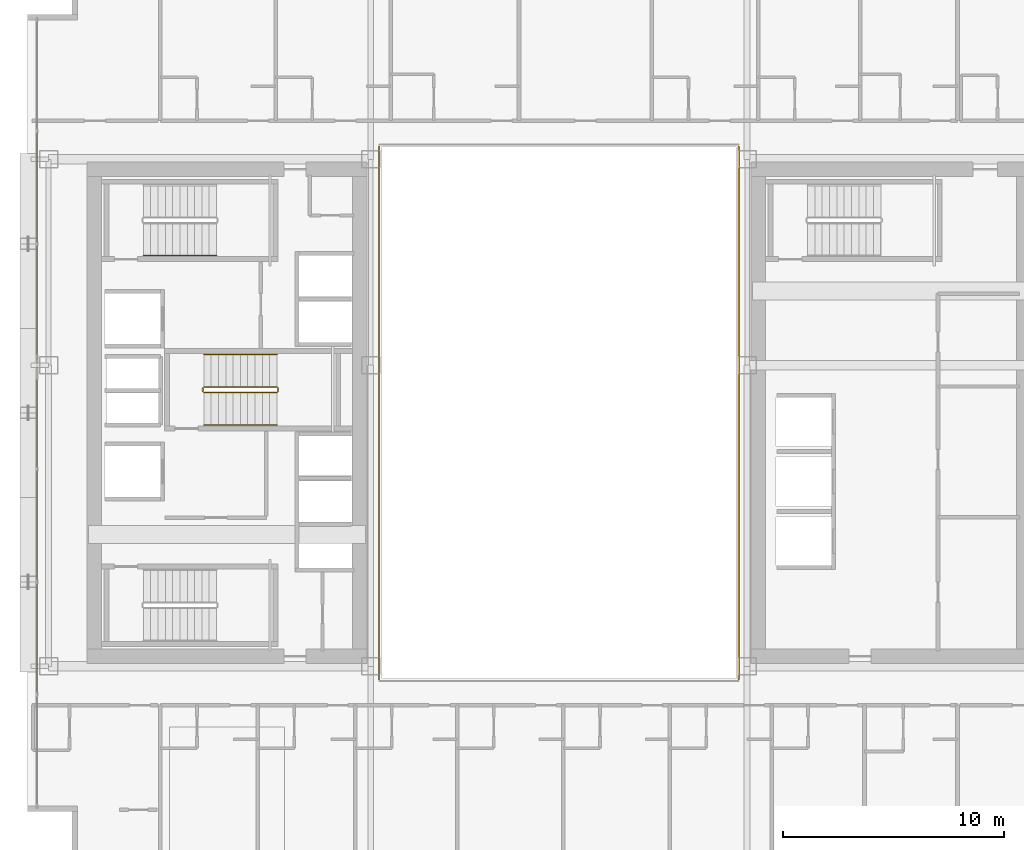
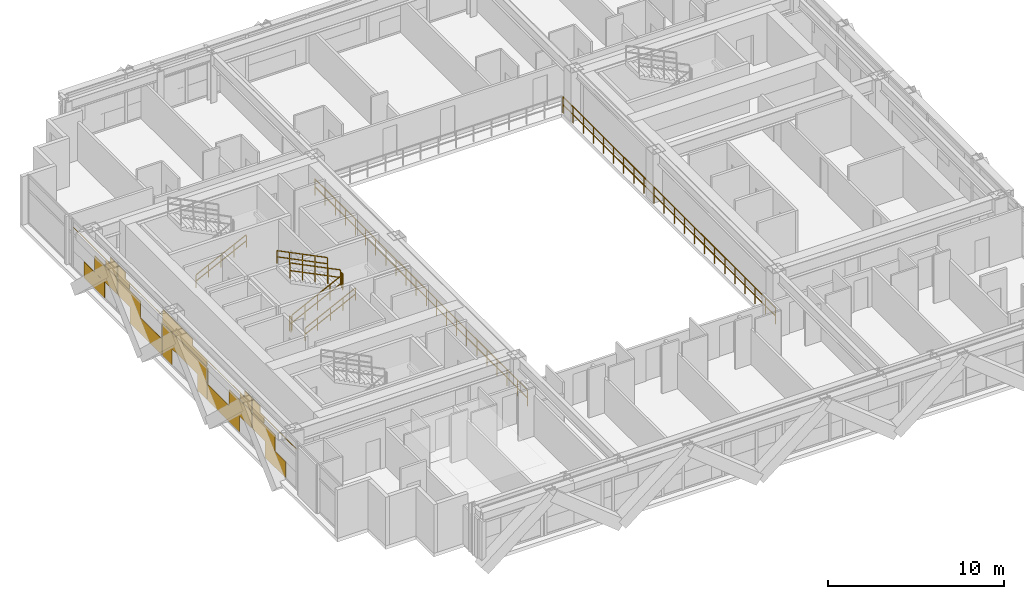
# One storey, part 34 of 36: 9 railings, 1 covering.
"""IFC4 building model written with IfcOpenShell, lengths in metres."""

from ifc_helpers import new_model, si_unit, direction, frame, origin, origin_2d, place, context, subcontext, project, spatial, rectangle, extrude, material, layer, layer_set, type_object, element, save


model = new_model("IFC4")

# Units and contexts
model_context = context("Model", 3, precision=1e-05, world=origin(), true_north=direction((0.0, 1.0)))
body_context = subcontext(model_context, "Body", "Model", "MODEL_VIEW")
ifc_project = project(units=[si_unit("LENGTHUNIT", "METRE"), si_unit("AREAUNIT", "SQUARE_METRE"), si_unit("VOLUMEUNIT", "CUBIC_METRE"), si_unit("PLANEANGLEUNIT", "RADIAN"), si_unit("MASSUNIT", "GRAM", prefix="KILO")], contexts=[model_context])

# Site, building, storey
site_placement = place(None, origin())
site = spatial("IfcSite", under=ifc_project, at=site_placement, CompositionType="ELEMENT")
building_placement = place(site_placement, origin())
building = spatial("IfcBuilding", under=site, at=building_placement, Name="Ocotamira Hotel", CompositionType="ELEMENT")
storey_placement = place(building_placement, frame((0.0, 0.0, 97.199951171875)))
storey = spatial("IfcBuildingStorey", under=building, at=storey_placement, Name="L23", CompositionType="ELEMENT", Elevation=97.199951171875)

# Covering
ifc_material_1 = material(Name="Insulated pale-metal aluminium spandrel panel", Category="aluminium")
ifc_layer = layer(ifc_material_1, 0.044921875)
ifc_layer_set = layer_set([ifc_layer], Name="Insulated pale-metal aluminium spandrel panel")
covering_type = type_object("IfcCoveringType", Name="COV-INFILL-45", PredefinedType="CLADDING", material=ifc_layer_set)
covering_placement = place(storey_placement, origin())
element("IfcCovering", 1, at=covering_placement, inside=storey, type_object=covering_type, Name="L23 Curtain Wall Infill CW-3 CW-L23-W", PredefinedType="CLADDING", context=body_context, shape_type="SweptSolid", body=[
    extrude(rectangle(XDim=2.35107421875, YDim=0.044921875, at=origin_2d()), frame((8.419921875, 15.741943359375, 0.07568359375), z_axis=(0.0, 0.0, 1.0), x_axis=(0.0, 1.0, 0.0)), (0.0, 0.0, 1.0), 1.11767578125),
    extrude(rectangle(XDim=2.578369140625, YDim=0.044921875, at=origin_2d()), frame((8.419921875, 17.041748046875, 1.1943359375), z_axis=(0.0, 0.0, 1.0), x_axis=(0.0, 1.0, 0.0)), (0.0, 0.0, 1.0), 1.117919921875),
    extrude(rectangle(XDim=5.004638671875, YDim=0.044921875, at=origin_2d()), frame((8.419921875, 15.82861328125, 2.802490234375), z_axis=(0.0, 0.0, 1.0), x_axis=(0.0, 1.0, 0.0)), (0.0, 0.0, 1.0), 0.033203125),
    extrude(rectangle(XDim=1.312744140625, YDim=0.044921875, at=origin_2d()), frame((8.419921875, 17.674560546875, 2.38818359375), z_axis=(0.0, 0.0, 1.0), x_axis=(0.0, 1.0, 0.0)), (0.0, 0.0, 1.0), 0.413330078125),
    extrude(rectangle(XDim=0.837158203125, YDim=0.044921875, at=origin_2d()), frame((8.419921875, 17.912353515625, 2.836669921875), z_axis=(0.0, 0.0, 1.0), x_axis=(0.0, 1.0, 0.0)), (0.0, 0.0, 1.0), 0.44775390625),
    extrude(rectangle(XDim=2.568603515625, YDim=0.044921875, at=origin_2d()), frame((8.419921875, 19.6962890625, 1.1943359375), z_axis=(0.0, 0.0, 1.0), x_axis=(0.0, 1.0, 0.0)), (0.0, 0.0, 1.0), 1.117919921875),
    extrude(rectangle(XDim=3.600830078125, YDim=0.044921875, at=origin_2d()), frame((8.419921875, 21.6162109375, 0.07568359375), z_axis=(0.0, 0.0, 1.0), x_axis=(0.0, 1.0, 0.0)), (0.0, 0.0, 1.0), 1.11767578125),
    extrude(rectangle(XDim=0.03076171875, YDim=0.044921875, at=origin_2d()), frame((8.419921875, 23.4013671875, 1.1943359375), z_axis=(0.0, 0.0, 1.0), x_axis=(0.0, 1.0, 0.0)), (0.0, 0.0, 1.0), 1.117919921875),
    extrude(rectangle(XDim=1.302978515625, YDim=0.044921875, at=origin_2d()), frame((8.419921875, 19.0634765625, 2.38818359375), z_axis=(0.0, 0.0, 1.0), x_axis=(0.0, 1.0, 0.0)), (0.0, 0.0, 1.0), 0.413330078125),
    extrude(rectangle(XDim=5.004638671875, YDim=0.044921875, at=origin_2d()), frame((8.419921875, 20.914306640625, 2.802490234375), z_axis=(0.0, 0.0, 1.0), x_axis=(0.0, 1.0, 0.0)), (0.0, 0.0, 1.0), 0.033203125),
    extrude(rectangle(XDim=0.827392578125, YDim=0.044921875, at=origin_2d()), frame((8.419921875, 18.82568359375, 2.836669921875), z_axis=(0.0, 0.0, 1.0), x_axis=(0.0, 1.0, 0.0)), (0.0, 0.0, 1.0), 0.44775390625),
    extrude(rectangle(XDim=1.05322265625, YDim=0.044921875, at=origin_2d()), frame((8.419921875, 24.0244140625, 0.07568359375), z_axis=(0.0, 0.0, 1.0), x_axis=(0.0, 1.0, 0.0)), (0.0, 0.0, 1.0), 1.11767578125),
    extrude(rectangle(XDim=5.004638671875, YDim=0.044921875, at=origin_2d()), frame((8.419921875, 26.0, 1.1943359375), z_axis=(0.0, 0.0, 1.0), x_axis=(0.0, 1.0, 0.0)), (0.0, 0.0, 1.0), 1.117919921875),
    extrude(rectangle(XDim=1.05322265625, YDim=0.044921875, at=origin_2d()), frame((8.419921875, 27.9755859375, 0.07568359375), z_axis=(0.0, 0.0, 1.0), x_axis=(0.0, 1.0, 0.0)), (0.0, 0.0, 1.0), 1.11767578125),
    extrude(rectangle(XDim=5.004638671875, YDim=0.044921875, at=origin_2d()), frame((8.419921875, 26.0, 2.387939453125), z_axis=(0.0, 0.0, 1.0), x_axis=(0.0, 1.0, 0.0)), (0.0, 0.0, 1.0), 0.44775390625),
    extrude(rectangle(XDim=3.375, YDim=0.044921875, at=origin_2d()), frame((8.419921875, 26.814697265625, 2.836669921875), z_axis=(0.0, 0.0, 1.0), x_axis=(0.0, 1.0, 0.0)), (0.0, 0.0, 1.0), 0.44775390625),
    extrude(rectangle(XDim=3.600830078125, YDim=0.044921875, at=origin_2d()), frame((8.419921875, 30.3837890625, 0.07568359375), z_axis=(0.0, 0.0, 1.0), x_axis=(0.0, 1.0, 0.0)), (0.0, 0.0, 1.0), 1.11767578125),
    extrude(rectangle(XDim=0.03076171875, YDim=0.044921875, at=origin_2d()), frame((8.419921875, 28.5986328125, 1.1943359375), z_axis=(0.0, 0.0, 1.0), x_axis=(0.0, 1.0, 0.0)), (0.0, 0.0, 1.0), 1.117919921875),
    extrude(rectangle(XDim=2.568603515625, YDim=0.044921875, at=origin_2d()), frame((8.419921875, 32.3037109375, 1.1943359375), z_axis=(0.0, 0.0, 1.0), x_axis=(0.0, 1.0, 0.0)), (0.0, 0.0, 1.0), 1.117919921875),
    extrude(rectangle(XDim=5.004638671875, YDim=0.044921875, at=origin_2d()), frame((8.419921875, 31.085693359375, 2.802490234375), z_axis=(0.0, 0.0, 1.0), x_axis=(0.0, 1.0, 0.0)), (0.0, 0.0, 1.0), 0.033203125),
    extrude(rectangle(XDim=1.302978515625, YDim=0.044921875, at=origin_2d()), frame((8.419921875, 32.9365234375, 2.38818359375), z_axis=(0.0, 0.0, 1.0), x_axis=(0.0, 1.0, 0.0)), (0.0, 0.0, 1.0), 0.413330078125),
    extrude(rectangle(XDim=0.827392578125, YDim=0.044921875, at=origin_2d()), frame((8.419921875, 33.17431640625, 2.836669921875), z_axis=(0.0, 0.0, 1.0), x_axis=(0.0, 1.0, 0.0)), (0.0, 0.0, 1.0), 0.44775390625),
    extrude(rectangle(XDim=2.578369140625, YDim=0.044921875, at=origin_2d()), frame((8.419921875, 34.958251953125, 1.1943359375), z_axis=(0.0, 0.0, 1.0), x_axis=(0.0, 1.0, 0.0)), (0.0, 0.0, 1.0), 1.117919921875),
    extrude(rectangle(XDim=2.35107421875, YDim=0.044921875, at=origin_2d()), frame((8.419921875, 36.258056640625, 0.07568359375), z_axis=(0.0, 0.0, 1.0), x_axis=(0.0, 1.0, 0.0)), (0.0, 0.0, 1.0), 1.11767578125),
    extrude(rectangle(XDim=1.312744140625, YDim=0.044921875, at=origin_2d()), frame((8.419921875, 34.325439453125, 2.38818359375), z_axis=(0.0, 0.0, 1.0), x_axis=(0.0, 1.0, 0.0)), (0.0, 0.0, 1.0), 0.413330078125),
    extrude(rectangle(XDim=5.004638671875, YDim=0.044921875, at=origin_2d()), frame((8.419921875, 36.17138671875, 2.802490234375), z_axis=(0.0, 0.0, 1.0), x_axis=(0.0, 1.0, 0.0)), (0.0, 0.0, 1.0), 0.033203125),
    extrude(rectangle(XDim=0.837158203125, YDim=0.044921875, at=origin_2d()), frame((8.419921875, 34.087646484375, 2.836669921875), z_axis=(0.0, 0.0, 1.0), x_axis=(0.0, 1.0, 0.0)), (0.0, 0.0, 1.0), 0.44775390625),
])

# Railings
ifc_material_2 = material(Name="Painted steel stair guardrail", Category="steel")
railing_type_1 = type_object("IfcRailingType", Name="RL-EDGE-1150", PredefinedType="GUARDRAIL", material=ifc_material_2)
railing_1_placement = place(storey_placement, frame((40.1201171875, 13.9599609375, 0.0)))
element("IfcRailing", 2, at=railing_1_placement, inside=storey, type_object=railing_type_1, Name="L23 Central Atrium Edge Guardrail E", PredefinedType="GUARDRAIL", context=body_context, shape_type="SweptSolid", body=[
    extrude(rectangle(XDim=0.048095703125, YDim=0.048095703125, at=origin_2d()), frame((0.0, 0.0, 1.1259765625), z_axis=(0.0, 1.0, 0.0), x_axis=(-1.0, 0.0, 0.0)), (0.0, 0.0, 1.0), 24.080078125),
    extrude(rectangle(XDim=0.048095703125, YDim=0.048095703125, at=origin_2d()), frame((0.0, 0.0, 0.574951171875), z_axis=(0.0, 1.0, 0.0), x_axis=(-1.0, 0.0, 0.0)), (0.0, 0.0, 1.0), 24.080078125),
    extrude(rectangle(XDim=0.0419921875, YDim=0.0419921875, at=origin_2d()), origin(), (0.0, 0.0, 1.0), 1.101806640625),
    extrude(rectangle(XDim=0.0419921875, YDim=0.0419921875, at=origin_2d()), frame((0.0, 1.146728515625, 0.0)), (0.0, 0.0, 1.0), 1.101806640625),
    extrude(rectangle(XDim=0.0419921875, YDim=0.0419921875, at=origin_2d()), frame((0.0, 2.29345703125, 0.0)), (0.0, 0.0, 1.0), 1.101806640625),
    extrude(rectangle(XDim=0.0419921875, YDim=0.0419921875, at=origin_2d()), frame((0.0, 3.43994140625, 0.0)), (0.0, 0.0, 1.0), 1.101806640625),
    extrude(rectangle(XDim=0.0419921875, YDim=0.0419921875, at=origin_2d()), frame((0.0, 4.586669921875, 0.0)), (0.0, 0.0, 1.0), 1.101806640625),
    extrude(rectangle(XDim=0.0419921875, YDim=0.0419921875, at=origin_2d()), frame((0.0, 5.7333984375, 0.0)), (0.0, 0.0, 1.0), 1.101806640625),
    extrude(rectangle(XDim=0.0419921875, YDim=0.0419921875, at=origin_2d()), frame((0.0, 6.880126953125, 0.0)), (0.0, 0.0, 1.0), 1.101806640625),
    extrude(rectangle(XDim=0.0419921875, YDim=0.0419921875, at=origin_2d()), frame((0.0, 8.026611328125, 0.0)), (0.0, 0.0, 1.0), 1.101806640625),
    extrude(rectangle(XDim=0.0419921875, YDim=0.0419921875, at=origin_2d()), frame((0.0, 9.17333984375, 0.0)), (0.0, 0.0, 1.0), 1.101806640625),
    extrude(rectangle(XDim=0.0419921875, YDim=0.0419921875, at=origin_2d()), frame((0.0, 10.320068359375, 0.0)), (0.0, 0.0, 1.0), 1.101806640625),
    extrude(rectangle(XDim=0.0419921875, YDim=0.0419921875, at=origin_2d()), frame((0.0, 11.466796875, 0.0)), (0.0, 0.0, 1.0), 1.101806640625),
    extrude(rectangle(XDim=0.0419921875, YDim=0.0419921875, at=origin_2d()), frame((0.0, 12.61328125, 0.0)), (0.0, 0.0, 1.0), 1.101806640625),
    extrude(rectangle(XDim=0.0419921875, YDim=0.0419921875, at=origin_2d()), frame((0.0, 13.760009765625, 0.0)), (0.0, 0.0, 1.0), 1.101806640625),
    extrude(rectangle(XDim=0.0419921875, YDim=0.0419921875, at=origin_2d()), frame((0.0, 14.90673828125, 0.0)), (0.0, 0.0, 1.0), 1.101806640625),
    extrude(rectangle(XDim=0.0419921875, YDim=0.0419921875, at=origin_2d()), frame((0.0, 16.053466796875, 0.0)), (0.0, 0.0, 1.0), 1.101806640625),
    extrude(rectangle(XDim=0.0419921875, YDim=0.0419921875, at=origin_2d()), frame((0.0, 17.199951171875, 0.0)), (0.0, 0.0, 1.0), 1.101806640625),
    extrude(rectangle(XDim=0.0419921875, YDim=0.0419921875, at=origin_2d()), frame((0.0, 18.3466796875, 0.0)), (0.0, 0.0, 1.0), 1.101806640625),
    extrude(rectangle(XDim=0.0419921875, YDim=0.0419921875, at=origin_2d()), frame((0.0, 19.493408203125, 0.0)), (0.0, 0.0, 1.0), 1.101806640625),
    extrude(rectangle(XDim=0.0419921875, YDim=0.0419921875, at=origin_2d()), frame((0.0, 20.64013671875, 0.0)), (0.0, 0.0, 1.0), 1.101806640625),
    extrude(rectangle(XDim=0.0419921875, YDim=0.0419921875, at=origin_2d()), frame((0.0, 21.78662109375, 0.0)), (0.0, 0.0, 1.0), 1.101806640625),
    extrude(rectangle(XDim=0.0419921875, YDim=0.0419921875, at=origin_2d()), frame((0.0, 22.933349609375, 0.0)), (0.0, 0.0, 1.0), 1.101806640625),
    extrude(rectangle(XDim=0.0419921875, YDim=0.0419921875, at=origin_2d()), frame((0.0, 24.080078125, 0.0)), (0.0, 0.0, 1.0), 1.101806640625),
])
railing_2_placement = place(storey_placement, frame((23.8798828125, 38.0400390625, 0.0)))
element("IfcRailing", 3, at=railing_2_placement, inside=storey, type_object=railing_type_1, Name="L23 Central Atrium Edge Guardrail W", PredefinedType="GUARDRAIL", context=body_context, shape_type="SweptSolid", body=[
    extrude(rectangle(XDim=0.048095703125, YDim=0.048095703125, at=origin_2d()), frame((0.0, 0.0, 1.1259765625), z_axis=(0.0, -1.0, 0.0), x_axis=(1.0, 0.0, 0.0)), (0.0, 0.0, 1.0), 24.080078125),
    extrude(rectangle(XDim=0.048095703125, YDim=0.048095703125, at=origin_2d()), frame((0.0, 0.0, 0.574951171875), z_axis=(0.0, -1.0, 0.0), x_axis=(1.0, 0.0, 0.0)), (0.0, 0.0, 1.0), 24.080078125),
    extrude(rectangle(XDim=0.0419921875, YDim=0.0419921875, at=origin_2d()), origin(), (0.0, 0.0, 1.0), 1.101806640625),
    extrude(rectangle(XDim=0.0419921875, YDim=0.0419921875, at=origin_2d()), frame((0.0, -1.146728515625, 0.0)), (0.0, 0.0, 1.0), 1.101806640625),
    extrude(rectangle(XDim=0.0419921875, YDim=0.0419921875, at=origin_2d()), frame((0.0, -2.29345703125, 0.0)), (0.0, 0.0, 1.0), 1.101806640625),
    extrude(rectangle(XDim=0.0419921875, YDim=0.0419921875, at=origin_2d()), frame((0.0, -3.43994140625, 0.0)), (0.0, 0.0, 1.0), 1.101806640625),
    extrude(rectangle(XDim=0.0419921875, YDim=0.0419921875, at=origin_2d()), frame((0.0, -4.586669921875, 0.0)), (0.0, 0.0, 1.0), 1.101806640625),
    extrude(rectangle(XDim=0.0419921875, YDim=0.0419921875, at=origin_2d()), frame((0.0, -5.7333984375, 0.0)), (0.0, 0.0, 1.0), 1.101806640625),
    extrude(rectangle(XDim=0.0419921875, YDim=0.0419921875, at=origin_2d()), frame((0.0, -6.880126953125, 0.0)), (0.0, 0.0, 1.0), 1.101806640625),
    extrude(rectangle(XDim=0.0419921875, YDim=0.0419921875, at=origin_2d()), frame((0.0, -8.026611328125, 0.0)), (0.0, 0.0, 1.0), 1.101806640625),
    extrude(rectangle(XDim=0.0419921875, YDim=0.0419921875, at=origin_2d()), frame((0.0, -9.17333984375, 0.0)), (0.0, 0.0, 1.0), 1.101806640625),
    extrude(rectangle(XDim=0.0419921875, YDim=0.0419921875, at=origin_2d()), frame((0.0, -10.320068359375, 0.0)), (0.0, 0.0, 1.0), 1.101806640625),
    extrude(rectangle(XDim=0.0419921875, YDim=0.0419921875, at=origin_2d()), frame((0.0, -11.466796875, 0.0)), (0.0, 0.0, 1.0), 1.101806640625),
    extrude(rectangle(XDim=0.0419921875, YDim=0.0419921875, at=origin_2d()), frame((0.0, -12.61328125, 0.0)), (0.0, 0.0, 1.0), 1.101806640625),
    extrude(rectangle(XDim=0.0419921875, YDim=0.0419921875, at=origin_2d()), frame((0.0, -13.760009765625, 0.0)), (0.0, 0.0, 1.0), 1.101806640625),
    extrude(rectangle(XDim=0.0419921875, YDim=0.0419921875, at=origin_2d()), frame((0.0, -14.90673828125, 0.0)), (0.0, 0.0, 1.0), 1.101806640625),
    extrude(rectangle(XDim=0.0419921875, YDim=0.0419921875, at=origin_2d()), frame((0.0, -16.053466796875, 0.0)), (0.0, 0.0, 1.0), 1.101806640625),
    extrude(rectangle(XDim=0.0419921875, YDim=0.0419921875, at=origin_2d()), frame((0.0, -17.199951171875, 0.0)), (0.0, 0.0, 1.0), 1.101806640625),
    extrude(rectangle(XDim=0.0419921875, YDim=0.0419921875, at=origin_2d()), frame((0.0, -18.3466796875, 0.0)), (0.0, 0.0, 1.0), 1.101806640625),
    extrude(rectangle(XDim=0.0419921875, YDim=0.0419921875, at=origin_2d()), frame((0.0, -19.493408203125, 0.0)), (0.0, 0.0, 1.0), 1.101806640625),
    extrude(rectangle(XDim=0.0419921875, YDim=0.0419921875, at=origin_2d()), frame((0.0, -20.64013671875, 0.0)), (0.0, 0.0, 1.0), 1.101806640625),
    extrude(rectangle(XDim=0.0419921875, YDim=0.0419921875, at=origin_2d()), frame((0.0, -21.78662109375, 0.0)), (0.0, 0.0, 1.0), 1.101806640625),
    extrude(rectangle(XDim=0.0419921875, YDim=0.0419921875, at=origin_2d()), frame((0.0, -22.933349609375, 0.0)), (0.0, 0.0, 1.0), 1.101806640625),
    extrude(rectangle(XDim=0.0419921875, YDim=0.0419921875, at=origin_2d()), frame((0.0, -24.080078125, 0.0)), (0.0, 0.0, 1.0), 1.101806640625),
])
ifc_material_3 = material(Name="Brushed stainless steel handrail", Category="steel")
railing_type_2 = type_object("IfcRailingType", Name="RL-HAND-900", PredefinedType="HANDRAIL", material=ifc_material_3)
for number, where, name in (
    (4, (13.22998046875, 33.10009765625, 0.327392578125), "L23 ST-2 stair handrail 1"),
    (5, (15.9599609375, 25.449951171875, 0.327392578125), "L23 ST-3 stair handrail 1"),
):
    element("IfcRailing", number, at=place(storey_placement, frame(where)), inside=storey, type_object=railing_type_2, Name=name, PredefinedType="HANDRAIL", context=body_context, shape_type="SweptSolid", body=[
        extrude(rectangle(XDim=0.048095703125, YDim=0.048095703125, at=origin_2d()), frame((0.0, 0.0, 0.8759765625), z_axis=(0.895920123917, 0.0, 0.444215186098), x_axis=(0.0, 1.0, 0.0)), (0.0, 0.0, 1.0), 3.683349609375),
        extrude(rectangle(XDim=0.048095703125, YDim=0.048095703125, at=origin_2d()), frame((0.0, 0.0, 0.449951171875), z_axis=(0.895920123917, 0.0, 0.444215186098), x_axis=(0.0, 1.0, 0.0)), (0.0, 0.0, 1.0), 3.683349609375),
        extrude(rectangle(XDim=0.0419921875, YDim=0.0419921875, at=origin_2d()), origin(), (0.0, 0.0, 1.0), 0.851806640625),
        extrude(rectangle(XDim=0.0419921875, YDim=0.0419921875, at=origin_2d()), frame((0.824951171875, 0.0, 0.4091796875)), (0.0, 0.0, 1.0), 0.851806640625),
        extrude(rectangle(XDim=0.0419921875, YDim=0.0419921875, at=origin_2d()), frame((1.64990234375, 0.0, 0.818115234375)), (0.0, 0.0, 1.0), 0.851806640625),
        extrude(rectangle(XDim=0.0419921875, YDim=0.0419921875, at=origin_2d()), frame((2.47509765625, 0.0, 1.22705078125)), (0.0, 0.0, 1.0), 0.851806640625),
        extrude(rectangle(XDim=0.0419921875, YDim=0.0419921875, at=origin_2d()), frame((3.300048828125, 0.0, 1.63623046875)), (0.0, 0.0, 1.0), 0.851806640625),
    ])
railing_3_placement = place(storey_placement, frame((19.260009765625, 28.6298828125, 2.12744140625)))
element("IfcRailing", 6, at=railing_3_placement, inside=storey, type_object=railing_type_2, Name="L23 ST-3 stair handrail 2", PredefinedType="HANDRAIL", context=body_context, shape_type="SweptSolid", body=[
    extrude(rectangle(XDim=0.048095703125, YDim=0.048095703125, at=origin_2d()), frame((0.0, 0.0, 0.8759765625), z_axis=(-0.895920123917, 0.0, 0.444215186098), x_axis=(0.0, -1.0, 0.0)), (0.0, 0.0, 1.0), 3.683349609375),
    extrude(rectangle(XDim=0.048095703125, YDim=0.048095703125, at=origin_2d()), frame((0.0, 0.0, 0.449951171875), z_axis=(-0.895920123917, 0.0, 0.444215186098), x_axis=(0.0, -1.0, 0.0)), (0.0, 0.0, 1.0), 3.683349609375),
    extrude(rectangle(XDim=0.0419921875, YDim=0.0419921875, at=origin_2d()), origin(), (0.0, 0.0, 1.0), 0.851806640625),
    extrude(rectangle(XDim=0.0419921875, YDim=0.0419921875, at=origin_2d()), frame((-0.824951171875, 0.0, 0.4091796875)), (0.0, 0.0, 1.0), 0.851806640625),
    extrude(rectangle(XDim=0.0419921875, YDim=0.0419921875, at=origin_2d()), frame((-1.64990234375, 0.0, 0.818115234375)), (0.0, 0.0, 1.0), 0.851806640625),
    extrude(rectangle(XDim=0.0419921875, YDim=0.0419921875, at=origin_2d()), frame((-2.47509765625, 0.0, 1.22705078125)), (0.0, 0.0, 1.0), 0.851806640625),
    extrude(rectangle(XDim=0.0419921875, YDim=0.0419921875, at=origin_2d()), frame((-3.300048828125, 0.0, 1.63623046875)), (0.0, 0.0, 1.0), 0.851806640625),
])
railing_type_3 = type_object("IfcRailingType", Name="RL-STAIR-1100", PredefinedType="GUARDRAIL", material=ifc_material_2)
railing_4_placement = place(storey_placement, frame((15.9599609375, 26.909912109375, 0.16357421875)))
element("IfcRailing", 7, at=railing_4_placement, inside=storey, type_object=railing_type_3, Name="L23 ST-3 stair guard 1", PredefinedType="GUARDRAIL", context=body_context, shape_type="SweptSolid", body=[
    extrude(rectangle(XDim=0.048095703125, YDim=0.048095703125, at=origin_2d()), frame((0.0, 0.0, 1.076171875), z_axis=(0.895893744519, 0.0, 0.4442683857), x_axis=(0.0, 1.0, 0.0)), (0.0, 0.0, 1.0), 3.68359375),
    extrude(rectangle(XDim=0.048095703125, YDim=0.048095703125, at=origin_2d()), frame((0.0, 0.0, 0.550048828125), z_axis=(0.895893744519, 0.0, 0.4442683857), x_axis=(0.0, 1.0, 0.0)), (0.0, 0.0, 1.0), 3.68359375),
    extrude(rectangle(XDim=0.0419921875, YDim=0.0419921875, at=origin_2d()), origin(), (0.0, 0.0, 1.0), 1.052001953125),
    extrude(rectangle(XDim=0.0419921875, YDim=0.0419921875, at=origin_2d()), frame((0.824951171875, 0.0, 0.4091796875)), (0.0, 0.0, 1.0), 1.052001953125),
    extrude(rectangle(XDim=0.0419921875, YDim=0.0419921875, at=origin_2d()), frame((1.64990234375, 0.0, 0.818359375)), (0.0, 0.0, 1.0), 1.052001953125),
    extrude(rectangle(XDim=0.0419921875, YDim=0.0419921875, at=origin_2d()), frame((2.47509765625, 0.0, 1.227294921875)), (0.0, 0.0, 1.0), 1.052001953125),
    extrude(rectangle(XDim=0.0419921875, YDim=0.0419921875, at=origin_2d()), frame((3.300048828125, 0.0, 1.636474609375)), (0.0, 0.0, 1.0), 1.052001953125),
])
railing_5_placement = place(storey_placement, frame((19.31005859375, 26.9599609375, 1.800048828125)))
element("IfcRailing", 8, at=railing_5_placement, inside=storey, type_object=railing_type_3, Name="L23 ST-3 stair guard 2", PredefinedType="GUARDRAIL", context=body_context, shape_type="SweptSolid", body=[
    extrude(rectangle(XDim=0.048095703125, YDim=0.048095703125, at=origin_2d()), frame((0.0, 0.0, 1.076171875), z_axis=(0.0, 1.0, 0.0), x_axis=(-1.0, 0.0, 0.0)), (0.0, 0.0, 1.0), 0.16015625),
    extrude(rectangle(XDim=0.048095703125, YDim=0.048095703125, at=origin_2d()), frame((0.0, 0.0, 0.550048828125), z_axis=(0.0, 1.0, 0.0), x_axis=(-1.0, 0.0, 0.0)), (0.0, 0.0, 1.0), 0.16015625),
    extrude(rectangle(XDim=0.0419921875, YDim=0.0419921875, at=origin_2d()), origin(), (0.0, 0.0, 1.0), 1.052001953125),
    extrude(rectangle(XDim=0.0419921875, YDim=0.0419921875, at=origin_2d()), frame((0.0, 0.16015625, 0.0)), (0.0, 0.0, 1.0), 1.052001953125),
])
railing_6_placement = place(storey_placement, frame((19.260009765625, 27.169921875, 1.963623046875)))
element("IfcRailing", 9, at=railing_6_placement, inside=storey, type_object=railing_type_3, Name="L23 ST-3 stair guard 3", PredefinedType="GUARDRAIL", context=body_context, shape_type="SweptSolid", body=[
    extrude(rectangle(XDim=0.048095703125, YDim=0.048095703125, at=origin_2d()), frame((0.0, 0.0, 1.076171875), z_axis=(-0.895893744519, 0.0, 0.4442683857), x_axis=(0.0, -1.0, 0.0)), (0.0, 0.0, 1.0), 3.68359375),
    extrude(rectangle(XDim=0.048095703125, YDim=0.048095703125, at=origin_2d()), frame((0.0, 0.0, 0.550048828125), z_axis=(-0.895893744519, 0.0, 0.4442683857), x_axis=(0.0, -1.0, 0.0)), (0.0, 0.0, 1.0), 3.68359375),
    extrude(rectangle(XDim=0.0419921875, YDim=0.0419921875, at=origin_2d()), origin(), (0.0, 0.0, 1.0), 1.052001953125),
    extrude(rectangle(XDim=0.0419921875, YDim=0.0419921875, at=origin_2d()), frame((-0.824951171875, 0.0, 0.4091796875)), (0.0, 0.0, 1.0), 1.052001953125),
    extrude(rectangle(XDim=0.0419921875, YDim=0.0419921875, at=origin_2d()), frame((-1.64990234375, 0.0, 0.818359375)), (0.0, 0.0, 1.0), 1.052001953125),
    extrude(rectangle(XDim=0.0419921875, YDim=0.0419921875, at=origin_2d()), frame((-2.47509765625, 0.0, 1.227294921875)), (0.0, 0.0, 1.0), 1.052001953125),
    extrude(rectangle(XDim=0.0419921875, YDim=0.0419921875, at=origin_2d()), frame((-3.300048828125, 0.0, 1.636474609375)), (0.0, 0.0, 1.0), 1.052001953125),
])
railing_7_placement = place(storey_placement, frame((15.909912109375, 26.9599609375, 0.0)))
element("IfcRailing", 10, at=railing_7_placement, inside=storey, type_object=railing_type_3, Name="L23 ST-3 stair guard 4", PredefinedType="GUARDRAIL", context=body_context, shape_type="SweptSolid", body=[
    extrude(rectangle(XDim=0.048095703125, YDim=0.048095703125, at=origin_2d()), frame((0.0, 0.0, 1.076171875), z_axis=(0.0, 1.0, 0.0), x_axis=(-1.0, 0.0, 0.0)), (0.0, 0.0, 1.0), 0.16015625),
    extrude(rectangle(XDim=0.048095703125, YDim=0.048095703125, at=origin_2d()), frame((0.0, 0.0, 0.550048828125), z_axis=(0.0, 1.0, 0.0), x_axis=(-1.0, 0.0, 0.0)), (0.0, 0.0, 1.0), 0.16015625),
    extrude(rectangle(XDim=0.0419921875, YDim=0.0419921875, at=origin_2d()), origin(), (0.0, 0.0, 1.0), 1.052001953125),
    extrude(rectangle(XDim=0.0419921875, YDim=0.0419921875, at=origin_2d()), frame((0.0, 0.16015625, 0.0)), (0.0, 0.0, 1.0), 1.052001953125),
])

save(model, "model.ifc")
